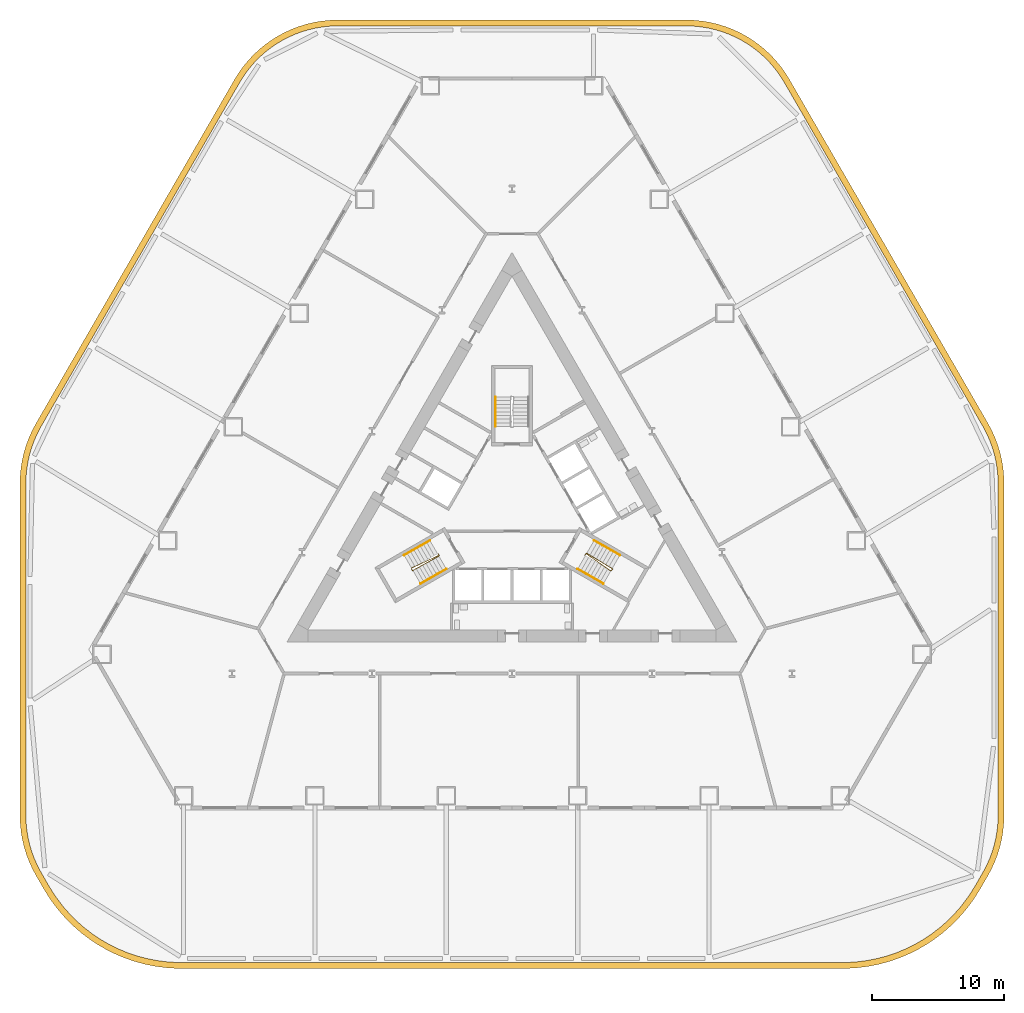
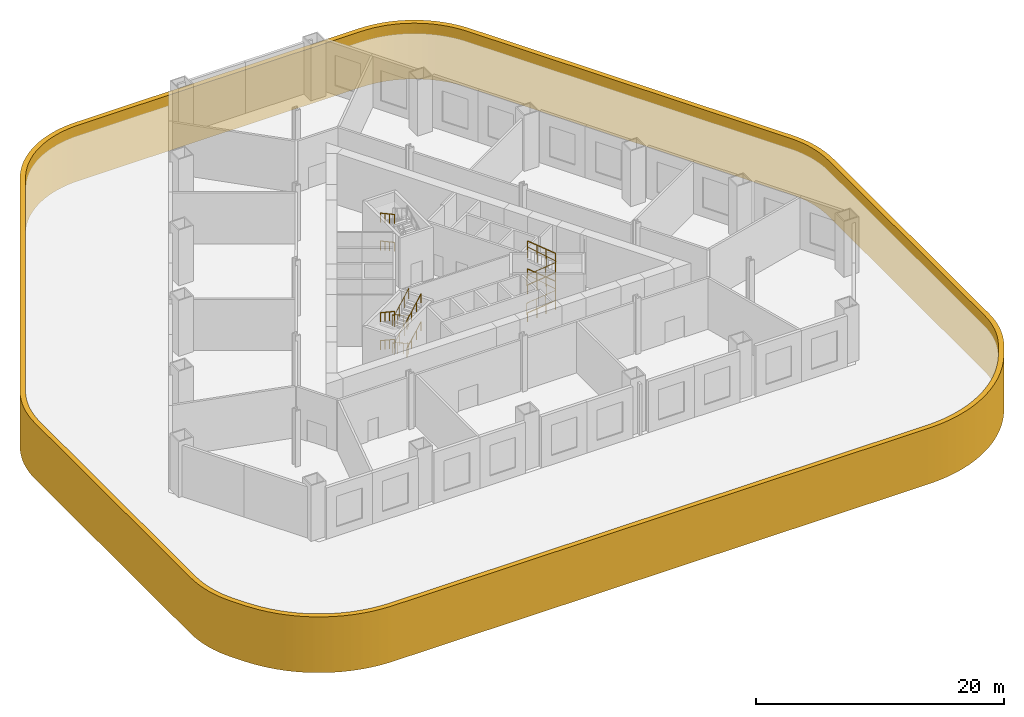
# One storey, part 8 of 10: 12 railings, 1 covering.
"""IFC4 building model written with IfcOpenShell, lengths in metres."""

import ifcopenshell
import ifcopenshell.guid

model = None  # the IFC model being written
_history = None  # IfcOwnerHistory: only IFC2X3 demands one
_inside = {}  # id of a spatial element -> (the spatial element, [elements in it])
_under = {}  # id of a project, library or spatial element -> (it, [spatial elements below it])
_declared = {}  # id of a project -> (the project, [libraries it declares])
_typed = {}  # id of a type object -> (the type object, [elements of that type])
_made_of = {}  # id of a material, layer set ... -> (it, [elements and type objects made of it])


def new_model(schema):
    """Start an empty IFC model of exactly this schema.

    Asked for "IFC4X3", IfcOpenShell would pick the latest addendum, in which some entities
    have other attributes; the version numbers below select the first issue.
    IFC2X3 requires an IfcOwnerHistory on every rooted entity: one is made here for all.
    """
    global model, _history
    if schema == "IFC4X3":
        model = ifcopenshell.file(schema_version=(4, 3, 0, 0))
    else:
        model = ifcopenshell.file(schema=schema)
    _inside.clear()
    _under.clear()
    _declared.clear()
    _typed.clear()
    _made_of.clear()
    _history = None
    if model.schema == "IFC2X3":
        org = make("IfcOrganization", Name="unknown")
        user = make(
            "IfcPersonAndOrganization",
            ThePerson=make("IfcPerson", FamilyName="unknown"),
            TheOrganization=org,
        )
        app = make(
            "IfcApplication",
            ApplicationDeveloper=org,
            Version="unknown",
            ApplicationFullName="unknown",
            ApplicationIdentifier="unknown",
        )
        _history = make(
            "IfcOwnerHistory",
            OwningUser=user,
            OwningApplication=app,
            ChangeAction="ADDED",
            CreationDate=0,
        )
    return model


def make(cls, **values):
    """One entity of the class cls with the attributes given. An attribute that is None is left unset."""
    return model.create_entity(
        cls, **{name: value for name, value in values.items() if value is not None}
    )


def rooted(cls, **values):
    """An entity with a GlobalId (a new one), such as an element, a storey or a relation."""
    return make(cls, GlobalId=ifcopenshell.guid.new(), OwnerHistory=_history, **values)


def si_unit(unit_type, name, prefix=None):
    """IfcSIUnit, for example si_unit("LENGTHUNIT", "METRE", prefix="MILLI")."""
    return make("IfcSIUnit", UnitType=unit_type, Prefix=prefix, Name=name)


def assignment(units):
    """IfcUnitAssignment: the units of a project."""
    return None if units is None else make("IfcUnitAssignment", Units=units)


def point(xyz):
    """IfcCartesianPoint."""
    return None if xyz is None else make("IfcCartesianPoint", Coordinates=xyz)


def direction(xyz):
    """IfcDirection."""
    return None if xyz is None else make("IfcDirection", DirectionRatios=xyz)


def frame(location, z_axis=None, x_axis=None):
    """IfcAxis2Placement3D, a coordinate frame: its origin and axes. An axis left out is left unset."""
    return make(
        "IfcAxis2Placement3D",
        Location=point(location),
        Axis=direction(z_axis),
        RefDirection=direction(x_axis),
    )


def frame_2d(location, x_axis=None):
    """IfcAxis2Placement2D, a coordinate frame in the plane: its origin and x axis."""
    return make(
        "IfcAxis2Placement2D", Location=point(location), RefDirection=direction(x_axis)
    )


def origin():
    """The frame at (0, 0, 0) with its axes left unset."""
    return frame((0.0, 0.0, 0.0))


def origin_2d():
    """The frame at (0, 0) in the plane with its x axis left unset."""
    return frame_2d((0.0, 0.0))


def place(relative_to, where):
    """IfcLocalPlacement: puts the frame where relative to a parent placement (None: the world)."""
    return make(
        "IfcLocalPlacement", PlacementRelTo=relative_to, RelativePlacement=where
    )


def context(
    kind, dimensions, precision=None, world=None, true_north=None, identifier=None
):
    """IfcGeometricRepresentationContext, for example the 3D "Model" context."""
    return make(
        "IfcGeometricRepresentationContext",
        ContextIdentifier=identifier,
        ContextType=kind,
        CoordinateSpaceDimension=dimensions,
        Precision=precision,
        WorldCoordinateSystem=world,
        TrueNorth=true_north,
    )


def subcontext(parent, identifier, kind, view, scale=None):
    """IfcGeometricRepresentationSubContext, for example "Body" below "Model"."""
    return make(
        "IfcGeometricRepresentationSubContext",
        ContextIdentifier=identifier,
        ContextType=kind,
        ParentContext=parent,
        TargetScale=scale,
        TargetView=view,
    )


def project(units=None, contexts=None):
    """IfcProject with its units and contexts."""
    return rooted(
        "IfcProject",
        Name="project",
        RepresentationContexts=contexts,
        UnitsInContext=assignment(units),
    )


def spatial(cls, under=None, at=None, **own):
    """A site, building, storey or space (cls), placed at a placement, below another one or the project."""
    s = rooted(cls, ObjectPlacement=at, **own)
    if under is not None:
        _under.setdefault(under.id(), (under, []))[1].append(s)
    return s


def polyline(points):
    """IfcPolyline through the points."""
    return make("IfcPolyline", Points=[point(p) for p in points])


def profile(cls, at=None, kind="AREA", **sizes):
    """A parametric profile (cls). Its sizes go by their IFC names, for example OverallWidth=200.0."""
    return make(cls, ProfileType=kind, Position=at, **sizes)


def circle(**sizes):
    """IfcCircleProfileDef."""
    return profile("IfcCircleProfileDef", **sizes)


def outline(outer, holes=None, kind="AREA"):
    """IfcArbitraryClosedProfileDef: a profile drawn as a closed curve; with holes, ...WithVoids."""
    if holes is None:
        return make("IfcArbitraryClosedProfileDef", ProfileType=kind, OuterCurve=outer)
    return make(
        "IfcArbitraryProfileDefWithVoids",
        ProfileType=kind,
        OuterCurve=outer,
        InnerCurves=holes,
    )


def extrude(swept, where, along, depth):
    """IfcExtrudedAreaSolid: the profile swept, set in the frame where, extruded along a direction by depth."""
    return make(
        "IfcExtrudedAreaSolid",
        SweptArea=swept,
        Position=where,
        ExtrudedDirection=direction(along),
        Depth=depth,
    )


def shape(context_of_items, identifier, shape_type, items):
    """IfcShapeRepresentation: the items that make up one representation, for example the "Body"."""
    return make(
        "IfcShapeRepresentation",
        ContextOfItems=context_of_items,
        RepresentationIdentifier=identifier,
        RepresentationType=shape_type,
        Items=items,
    )


def material(Name=None, Category=None):
    """IfcMaterial."""
    return make("IfcMaterial", Name=Name, Category=Category)


def layer(
    of_material, thickness, ventilated=None, Name=None, Category=None, Priority=None
):
    """IfcMaterialLayer: one layer of a wall or slab, of a material (None: an air gap)."""
    return make(
        "IfcMaterialLayer",
        Material=of_material,
        LayerThickness=thickness,
        IsVentilated=ventilated,
        Name=Name,
        Category=Category,
        Priority=Priority,
    )


def layer_set(layers, Name=None):
    """IfcMaterialLayerSet."""
    return make("IfcMaterialLayerSet", MaterialLayers=layers, LayerSetName=Name)


def made_of(thing, what):
    """Note that an element or type object is made of a material, layer set ...; save() writes the relation."""
    if what is not None:
        _made_of.setdefault(what.id(), (what, []))[1].append(thing)
    return thing


def type_object(cls, material=None, **own):
    """A type object (cls), such as IfcWallType, which elements share."""
    return made_of(rooted(cls, **own), material)


def element(
    cls,
    number,
    at=None,
    inside=None,
    cuts=None,
    type_object=None,
    material=None,
    context=None,
    identifier="Body",
    shape_type=None,
    held_by="IfcProductDefinitionShape",
    body=None,
    shapes=None,
    **own,
):
    """One element of the class cls, such as IfcWall. Its Tag is "e" and its number.

    at: its placement. inside: the storey or other place that contains it. cuts: it is an
    opening in that element (IfcRelVoidsElement). A single representation is given by context,
    identifier, shape_type and body (its items); several are given by shapes. held_by: the class
    of the entity that holds the representations. save() writes the other relations.
    """
    e = rooted(cls, Tag="e%d" % number, ObjectPlacement=at, **own)
    if body is not None:
        shapes = [shape(context, identifier, shape_type, body)]
    if shapes is not None:
        e.Representation = make(held_by, Representations=shapes)
    if inside is not None:
        _inside.setdefault(inside.id(), (inside, []))[1].append(e)
    if cuts is not None:
        rooted(
            "IfcRelVoidsElement", RelatingBuildingElement=cuts, RelatedOpeningElement=e
        )
    if type_object is not None:
        _typed.setdefault(type_object.id(), (type_object, []))[1].append(e)
    return made_of(e, material)


def aggregate(whole, parts):
    """IfcRelAggregates: a whole, such as a stair, and the parts it consists of."""
    return rooted("IfcRelAggregates", RelatingObject=whole, RelatedObjects=parts)


def save(model, path):
    """Write the relations noted so far, then the file.

    IfcRelAggregates (storeys below a building ...), IfcRelContainedInSpatialStructure (elements
    in a storey), IfcRelDefinesByType, IfcRelAssociatesMaterial and IfcRelDeclares: one each for
    every whole, place, type object, material and project.
    """
    for whole, parts in _under.values():
        aggregate(whole, parts)
    for where, things in _inside.values():
        rooted(
            "IfcRelContainedInSpatialStructure",
            RelatedElements=things,
            RelatingStructure=where,
        )
    for kind, things in _typed.values():
        rooted("IfcRelDefinesByType", RelatedObjects=things, RelatingType=kind)
    for what, things in _made_of.values():
        rooted("IfcRelAssociatesMaterial", RelatedObjects=things, RelatingMaterial=what)
    for by, libraries in _declared.values():
        rooted("IfcRelDeclares", RelatingContext=by, RelatedDefinitions=libraries)
    model.write(path)


model = new_model("IFC4")

# Units and contexts
model_context = context("Model", 3, precision=1e-05, world=origin(), true_north=direction((0.0, 1.0)))
body_context = subcontext(model_context, "Body", "Model", "MODEL_VIEW")
ifc_project = project(units=[si_unit("LENGTHUNIT", "METRE"), si_unit("AREAUNIT", "SQUARE_METRE"), si_unit("VOLUMEUNIT", "CUBIC_METRE"), si_unit("PLANEANGLEUNIT", "RADIAN"), si_unit("MASSUNIT", "GRAM", prefix="KILO")], contexts=[model_context])

# Site, building, storey
site_placement = place(None, origin())
site = spatial("IfcSite", under=ifc_project, at=site_placement, CompositionType="ELEMENT")
building_placement = place(site_placement, origin())
building = spatial("IfcBuilding", under=site, at=building_placement, Name="Cormorant Prow Tower", CompositionType="ELEMENT")
storey_placement = place(building_placement, frame((0.0, 0.0, 10.0)))
storey = spatial("IfcBuildingStorey", under=building, at=storey_placement, Name="L01", CompositionType="ELEMENT", Elevation=10.0)

# Covering
ifc_material_1 = material(Name="Terracotta", Category="masonry")
ifc_layer = layer(ifc_material_1, 0.449951171875)
ifc_layer_set = layer_set([ifc_layer], Name="Terracotta")
covering_type = type_object("IfcCoveringType", Name="Arcade fascia cladding 450", PredefinedType="CLADDING", material=ifc_layer_set)
covering_placement = place(storey_placement, frame((0.0, 0.0, -4.5)))
element("IfcCovering", 1, at=covering_placement, inside=storey, type_object=covering_type, Name="Arcade fascia", PredefinedType="CLADDING", context=body_context, shape_type="SweptSolid", body=[
    extrude(outline(polyline([(-36.514892578125, -26.418212890625), (-36.722412109375, -25.866943359375), (-36.893310546875, -25.303466796875), (-37.027099609375, -24.72998046875), (-37.123046875, -24.14892578125), (-37.1806640625, -23.562744140625), (-37.199951171875, -22.97412109375), (-37.199951171875, 2.189453125), (-37.1806640625, 2.778076171875), (-37.123046875, 3.3642578125), (-37.027099609375, 3.9453125), (-36.893310546875, 4.518798828125), (-36.722412109375, 5.08251953125), (-36.514892578125, 5.633544921875), (-36.27197265625, 6.170166015625), (-35.994140625, 6.689453125), (-20.97705078125, 32.699951171875), (-20.666015625, 33.2001953125), (-20.322998046875, 33.678955078125), (-19.949462890625, 34.134033203125), (-19.546875, 34.56396484375), (-19.116943359375, 34.966552734375), (-18.66162109375, 35.340087890625), (-18.182861328125, 35.68310546875), (-17.682861328125, 35.994140625), (-17.163330078125, 36.27197265625), (-16.626953125, 36.514892578125), (-16.07568359375, 36.722412109375), (-15.51220703125, 36.893310546875), (-14.938720703125, 37.027099609375), (-14.357666015625, 37.123046875), (-13.771484375, 37.1806640625), (-13.182861328125, 37.199951171875), (13.182861328125, 37.199951171875), (13.771484375, 37.1806640625), (14.357666015625, 37.123046875), (14.938720703125, 37.027099609375), (15.51220703125, 36.893310546875), (16.07568359375, 36.722412109375), (16.626953125, 36.514892578125), (17.163330078125, 36.27197265625), (17.682861328125, 35.994140625), (18.182861328125, 35.68310546875), (18.66162109375, 35.340087890625), (19.116943359375, 34.966552734375), (19.546875, 34.56396484375), (19.949462890625, 34.134033203125), (20.322998046875, 33.678955078125), (20.666015625, 33.2001953125), (20.97705078125, 32.699951171875), (35.994140625, 6.689453125), (36.27197265625, 6.170166015625), (36.514892578125, 5.633544921875), (36.722412109375, 5.08251953125), (36.893310546875, 4.518798828125), (37.027099609375, 3.9453125), (37.123046875, 3.3642578125), (37.1806640625, 2.778076171875), (37.199951171875, 2.189453125), (37.199951171875, -22.97412109375), (37.1806640625, -23.562744140625), (37.123046875, -24.14892578125), (37.027099609375, -24.72998046875), (36.893310546875, -25.303466796875), (36.722412109375, -25.866943359375), (36.514892578125, -26.418212890625), (36.27197265625, -26.95458984375), (35.994140625, -27.47412109375), (35.4658203125, -28.38916015625), (35.314453125, -28.641845703125), (35.13330078125, -28.933349609375), (34.805908203125, -29.423095703125), (34.69189453125, -29.582275390625), (34.333251953125, -30.049560546875), (34.208984375, -30.201171875), (33.820556640625, -30.643798828125), (33.686767578125, -30.786865234375), (33.270263671875, -31.203369140625), (33.127197265625, -31.33740234375), (32.684326171875, -31.7255859375), (32.532958984375, -31.85009765625), (32.065673828125, -32.20849609375), (31.90625, -32.32275390625), (31.416748046875, -32.64990234375), (31.250244140625, -32.75341796875), (30.740234375, -33.0478515625), (30.5673828125, -33.14013671875), (30.0390625, -33.400634765625), (29.860595703125, -33.481689453125), (29.31640625, -33.70703125), (29.133056640625, -33.776123046875), (28.575439453125, -33.96533203125), (28.3876953125, -34.022216796875), (27.81884765625, -34.174560546875), (27.6279296875, -34.21923828125), (27.05029296875, -34.333984375), (26.85693359375, -34.365966796875), (26.273193359375, -34.44287109375), (26.078125, -34.462158203125), (25.490478515625, -34.50048828125), (25.147216796875, -34.511962890625), (24.852783203125, -34.5166015625), (-24.852783203125, -34.5166015625), (-25.147216796875, -34.511962890625), (-25.490478515625, -34.50048828125), (-26.078125, -34.462158203125), (-26.273193359375, -34.44287109375), (-26.85693359375, -34.365966796875), (-27.05029296875, -34.333984375), (-27.6279296875, -34.21923828125), (-27.81884765625, -34.174560546875), (-28.3876953125, -34.022216796875), (-28.575439453125, -33.96533203125), (-29.133056640625, -33.776123046875), (-29.31640625, -33.70703125), (-29.860595703125, -33.481689453125), (-30.0390625, -33.400634765625), (-30.5673828125, -33.14013671875), (-30.740234375, -33.0478515625), (-31.250244140625, -32.75341796875), (-31.416748046875, -32.64990234375), (-31.90625, -32.32275390625), (-32.065673828125, -32.20849609375), (-32.532958984375, -31.85009765625), (-32.684326171875, -31.7255859375), (-33.127197265625, -31.33740234375), (-33.270263671875, -31.203369140625), (-33.686767578125, -30.786865234375), (-33.820556640625, -30.643798828125), (-34.208984375, -30.201171875), (-34.333251953125, -30.049560546875), (-34.69189453125, -29.582275390625), (-34.805908203125, -29.423095703125), (-35.13330078125, -28.933349609375), (-35.314453125, -28.641845703125), (-35.4658203125, -28.38916015625), (-35.994140625, -27.47412109375), (-36.27197265625, -26.95458984375), (-36.514892578125, -26.418212890625)]), holes=[polyline([(-35.600830078125, -27.25537109375), (-35.078125, -28.160888671875), (-34.930419921875, -28.4072265625), (-34.7548828125, -28.689453125), (-34.43603515625, -29.166748046875), (-34.330322265625, -29.314208984375), (-33.980712890625, -29.769775390625), (-33.86572265625, -29.909912109375), (-33.4873046875, -30.341552734375), (-33.36328125, -30.473876953125), (-32.957275390625, -30.8798828125), (-32.824951171875, -31.00390625), (-32.393310546875, -31.382568359375), (-32.253173828125, -31.49755859375), (-31.797607421875, -31.846923828125), (-31.650146484375, -31.95263671875), (-31.1728515625, -32.271728515625), (-31.018798828125, -32.367431640625), (-30.521484375, -32.654541015625), (-30.361572265625, -32.739990234375), (-29.8466796875, -32.993896484375), (-29.681640625, -33.068603515625), (-29.151123046875, -33.288330078125), (-28.9814453125, -33.352294921875), (-28.437744140625, -33.536865234375), (-28.26416015625, -33.589599609375), (-27.70947265625, -33.738037109375), (-27.532958984375, -33.779296875), (-26.9697265625, -33.891357421875), (-26.791015625, -33.9208984375), (-26.2216796875, -33.995849609375), (-26.041259765625, -34.013427734375), (-25.46826171875, -34.051025390625), (-25.13623046875, -34.06201171875), (-24.84912109375, -34.066650390625), (24.84912109375, -34.066650390625), (25.13623046875, -34.06201171875), (25.46826171875, -34.051025390625), (26.041259765625, -34.013427734375), (26.2216796875, -33.995849609375), (26.791015625, -33.9208984375), (26.9697265625, -33.891357421875), (27.532958984375, -33.779296875), (27.70947265625, -33.738037109375), (28.26416015625, -33.589599609375), (28.437744140625, -33.536865234375), (28.9814453125, -33.352294921875), (29.151123046875, -33.288330078125), (29.681640625, -33.068603515625), (29.8466796875, -32.993896484375), (30.361572265625, -32.739990234375), (30.521484375, -32.654541015625), (31.018798828125, -32.367431640625), (31.1728515625, -32.271728515625), (31.650146484375, -31.95263671875), (31.797607421875, -31.846923828125), (32.253173828125, -31.49755859375), (32.393310546875, -31.382568359375), (32.824951171875, -31.00390625), (32.957275390625, -30.8798828125), (33.36328125, -30.473876953125), (33.4873046875, -30.341552734375), (33.86572265625, -29.909912109375), (33.980712890625, -29.769775390625), (34.330322265625, -29.314208984375), (34.43603515625, -29.166748046875), (34.7548828125, -28.689453125), (34.930419921875, -28.4072265625), (35.078125, -28.160888671875), (35.600830078125, -27.25537109375), (35.8681640625, -26.755615234375), (36.098876953125, -26.245849609375), (36.296142578125, -25.722412109375), (36.45849609375, -25.18701171875), (36.58544921875, -24.64208984375), (36.676513671875, -24.090087890625), (36.7314453125, -23.533203125), (36.75, -22.966796875), (36.75, 2.18212890625), (36.7314453125, 2.748779296875), (36.676513671875, 3.305419921875), (36.58544921875, 3.857421875), (36.45849609375, 4.40234375), (36.296142578125, 4.937744140625), (36.098876953125, 5.46142578125), (35.8681640625, 5.970947265625), (35.600830078125, 6.470947265625), (20.591064453125, 32.468505859375), (20.291748046875, 32.949951171875), (19.9658203125, 33.40478515625), (19.61083984375, 33.837158203125), (19.228515625, 34.24560546875), (18.820068359375, 34.6279296875), (18.3876953125, 34.98291015625), (17.932861328125, 35.308837890625), (17.457763671875, 35.604248046875), (16.96435546875, 35.8681640625), (16.45458984375, 36.098876953125), (15.93115234375, 36.296142578125), (15.395751953125, 36.45849609375), (14.850830078125, 36.58544921875), (14.298828125, 36.676513671875), (13.741943359375, 36.7314453125), (13.175537109375, 36.75), (-13.175537109375, 36.75), (-13.741943359375, 36.7314453125), (-14.298828125, 36.676513671875), (-14.850830078125, 36.58544921875), (-15.395751953125, 36.45849609375), (-15.93115234375, 36.296142578125), (-16.45458984375, 36.098876953125), (-16.96435546875, 35.8681640625), (-17.457763671875, 35.604248046875), (-17.932861328125, 35.308837890625), (-18.3876953125, 34.98291015625), (-18.820068359375, 34.6279296875), (-19.228515625, 34.24560546875), (-19.61083984375, 33.837158203125), (-19.9658203125, 33.40478515625), (-20.291748046875, 32.949951171875), (-20.591064453125, 32.468505859375), (-35.600830078125, 6.470947265625), (-35.8681640625, 5.970947265625), (-36.098876953125, 5.46142578125), (-36.296142578125, 4.937744140625), (-36.45849609375, 4.40234375), (-36.58544921875, 3.857421875), (-36.676513671875, 3.305419921875), (-36.7314453125, 2.748779296875), (-36.75, 2.18212890625), (-36.75, -22.966796875), (-36.7314453125, -23.533203125), (-36.676513671875, -24.090087890625), (-36.58544921875, -24.64208984375), (-36.45849609375, -25.18701171875), (-36.296142578125, -25.722412109375), (-36.098876953125, -26.245849609375), (-35.8681640625, -26.755615234375), (-35.600830078125, -27.25537109375)])]), origin(), (0.0, 0.0, 1.0), 5.5),
])

# Railings
ifc_material_2 = material(Name="Stainless steel", Category="steel")
railing_type_1 = type_object("IfcRailingType", Name="Stair guard 1100", PredefinedType="GUARDRAIL", material=ifc_material_2)
railing_1_placement = place(storey_placement, frame((-5.585205078125, -3.137939453125, 0.0)))
element("IfcRailing", 2, at=railing_1_placement, inside=storey, type_object=railing_type_1, Name="L01 ST1 stair guard 1", PredefinedType="GUARDRAIL", context=body_context, shape_type="SweptSolid", body=[
    extrude(circle(Radius=0.02392578125, at=origin_2d()), frame((0.0, 0.0, 1.076171875), z_axis=(0.501036270542, -0.865426285481, 0.0), x_axis=(0.865426285481, 0.501036270542, 0.0)), (0.0, 0.0, 1.0), 0.150146484375),
    extrude(circle(Radius=0.02392578125, at=origin_2d()), frame((0.0751953125, -0.1298828125, 1.076171875), z_axis=(-0.777722750483, -0.362840064417, 0.513317066767), x_axis=(0.422792438952, -0.906226546491, 0.0)), (0.0, 0.0, 1.0), 2.6787109375),
    extrude(circle(Radius=0.02392578125, at=origin_2d()), frame((-2.008056640625, -1.101806640625, 2.451171875), z_axis=(0.275034262293, -0.961434425515, 0.0), x_axis=(0.961434425515, 0.275034262293, 0.0)), (0.0, 0.0, 1.0), 0.2060546875),
    extrude(circle(Radius=0.02392578125, at=origin_2d()), frame((-1.951416015625, -1.2998046875, 2.451171875), z_axis=(0.751727878227, 0.412326305198, 0.514676806489), x_axis=(-0.480911908544, 0.87676891837, 0.0)), (0.0, 0.0, 1.0), 2.671630859375),
    extrude(circle(Radius=0.02392578125, at=origin_2d()), frame((0.056884765625, -0.1982421875, 3.826171875), z_axis=(0.258736085224, 0.965948051503, 0.0), x_axis=(-0.965948051503, 0.258736085224, 0.0)), (0.0, 0.0, 1.0), 0.07080078125),
    extrude(circle(Radius=0.02392578125, at=origin_2d()), frame((0.0751953125, -0.1298828125, 3.826171875), z_axis=(-0.777722750483, -0.362840064417, 0.513317066767), x_axis=(0.422792438952, -0.906226546491, 0.0)), (0.0, 0.0, 1.0), 2.6787109375),
    extrude(circle(Radius=0.02392578125, at=origin_2d()), frame((-2.008056640625, -1.101806640625, 5.201171875), z_axis=(0.275034262293, -0.961434425515, 0.0), x_axis=(0.961434425515, 0.275034262293, 0.0)), (0.0, 0.0, 1.0), 0.2060546875),
    extrude(circle(Radius=0.02392578125, at=origin_2d()), frame((-1.951416015625, -1.2998046875, 5.201171875), z_axis=(0.751727878227, 0.412326305198, 0.514676806489), x_axis=(-0.480911908544, 0.87676891837, 0.0)), (0.0, 0.0, 1.0), 2.671630859375),
    extrude(circle(Radius=0.02099609375, at=origin_2d()), origin(), (0.0, 0.0, 1.0), 1.052001953125),
    extrude(circle(Radius=0.02099609375, at=origin_2d()), frame((0.0751953125, -0.1298828125, 0.0)), (0.0, 0.0, 1.0), 1.052001953125),
    extrude(circle(Radius=0.02099609375, at=origin_2d()), frame((-0.619140625, -0.453857421875, 0.458251953125)), (0.0, 0.0, 1.0), 1.052001953125),
    extrude(circle(Radius=0.02099609375, at=origin_2d()), frame((-1.313720703125, -0.77783203125, 0.916748046875)), (0.0, 0.0, 1.0), 1.052001953125),
    extrude(circle(Radius=0.02099609375, at=origin_2d()), frame((-2.008056640625, -1.101806640625, 1.375)), (0.0, 0.0, 1.0), 1.052001953125),
    extrude(circle(Radius=0.02099609375, at=origin_2d()), frame((-1.951416015625, -1.2998046875, 1.375)), (0.0, 0.0, 1.0), 1.052001953125),
    extrude(circle(Radius=0.02099609375, at=origin_2d()), frame((-1.281982421875, -0.9326171875, 1.833251953125)), (0.0, 0.0, 1.0), 1.052001953125),
    extrude(circle(Radius=0.02099609375, at=origin_2d()), frame((-0.612548828125, -0.5654296875, 2.291748046875)), (0.0, 0.0, 1.0), 1.052001953125),
    extrude(circle(Radius=0.02099609375, at=origin_2d()), frame((0.056884765625, -0.1982421875, 2.75)), (0.0, 0.0, 1.0), 1.052001953125),
    extrude(circle(Radius=0.02099609375, at=origin_2d()), frame((0.0751953125, -0.1298828125, 2.75)), (0.0, 0.0, 1.0), 1.052001953125),
    extrude(circle(Radius=0.02099609375, at=origin_2d()), frame((-0.619140625, -0.453857421875, 3.208251953125)), (0.0, 0.0, 1.0), 1.052001953125),
    extrude(circle(Radius=0.02099609375, at=origin_2d()), frame((-1.313720703125, -0.77783203125, 3.666748046875)), (0.0, 0.0, 1.0), 1.052001953125),
    extrude(circle(Radius=0.02099609375, at=origin_2d()), frame((-2.008056640625, -1.101806640625, 4.125)), (0.0, 0.0, 1.0), 1.052001953125),
    extrude(circle(Radius=0.02099609375, at=origin_2d()), frame((-1.951416015625, -1.2998046875, 4.125)), (0.0, 0.0, 1.0), 1.052001953125),
    extrude(circle(Radius=0.02099609375, at=origin_2d()), frame((-1.281982421875, -0.9326171875, 4.583251953125)), (0.0, 0.0, 1.0), 1.052001953125),
    extrude(circle(Radius=0.02099609375, at=origin_2d()), frame((-0.612548828125, -0.5654296875, 5.041748046875)), (0.0, 0.0, 1.0), 1.052001953125),
    extrude(circle(Radius=0.02099609375, at=origin_2d()), frame((0.056884765625, -0.1982421875, 5.5)), (0.0, 0.0, 1.0), 1.052001953125),
])
railing_2_placement = place(storey_placement, frame((5.510009765625, -3.267822265625, 0.0)))
element("IfcRailing", 3, at=railing_2_placement, inside=storey, type_object=railing_type_1, Name="L01 ST2 stair guard 1", PredefinedType="GUARDRAIL", context=body_context, shape_type="SweptSolid", body=[
    extrude(circle(Radius=0.02392578125, at=origin_2d()), frame((0.0, 0.0, 1.076171875), z_axis=(0.501036270542, 0.865426285481, 0.0), x_axis=(-0.865426285481, 0.501036270542, 0.0)), (0.0, 0.0, 1.0), 0.150146484375),
    extrude(circle(Radius=0.02392578125, at=origin_2d()), frame((0.0751953125, 0.1298828125, 1.076171875), z_axis=(0.703046510183, -0.492123442043, 0.513361590218), x_axis=(0.573455215813, 0.819236910458, 0.0)), (0.0, 0.0, 1.0), 2.678466796875),
    extrude(circle(Radius=0.02392578125, at=origin_2d()), frame((1.958251953125, -1.188232421875, 2.451171875), z_axis=(0.695164929852, 0.718850276695, 0.0), x_axis=(-0.718850276695, 0.695164929852, 0.0)), (0.0, 0.0, 1.0), 0.2060546875),
    extrude(circle(Radius=0.02392578125, at=origin_2d()), frame((2.1015625, -1.0400390625, 2.451171875), z_axis=(-0.732997417253, 0.444769783041, 0.51467914898), x_axis=(-0.518752825935, -0.854924268918, 0.0)), (0.0, 0.0, 1.0), 2.671630859375),
    extrude(circle(Radius=0.02392578125, at=origin_2d()), frame((0.143310546875, 0.148193359375, 3.826171875), z_axis=(-0.965715946433, -0.259601060869, 0.0), x_axis=(0.259601060869, -0.965715946433, 0.0)), (0.0, 0.0, 1.0), 0.070556640625),
    extrude(circle(Radius=0.02392578125, at=origin_2d()), frame((0.0751953125, 0.1298828125, 3.826171875), z_axis=(0.703046510183, -0.492123442043, 0.513361590218), x_axis=(0.573455215813, 0.819236910458, 0.0)), (0.0, 0.0, 1.0), 2.678466796875),
    extrude(circle(Radius=0.02392578125, at=origin_2d()), frame((1.958251953125, -1.188232421875, 5.201171875), z_axis=(0.695164929852, 0.718850276695, 0.0), x_axis=(-0.718850276695, 0.695164929852, 0.0)), (0.0, 0.0, 1.0), 0.2060546875),
    extrude(circle(Radius=0.02392578125, at=origin_2d()), frame((2.1015625, -1.0400390625, 5.201171875), z_axis=(-0.732997417253, 0.444769783041, 0.51467914898), x_axis=(-0.518752825935, -0.854924268918, 0.0)), (0.0, 0.0, 1.0), 2.671630859375),
    extrude(circle(Radius=0.02099609375, at=origin_2d()), origin(), (0.0, 0.0, 1.0), 1.052001953125),
    extrude(circle(Radius=0.02099609375, at=origin_2d()), frame((0.0751953125, 0.1298828125, 0.0)), (0.0, 0.0, 1.0), 1.052001953125),
    extrude(circle(Radius=0.02099609375, at=origin_2d()), frame((0.702880859375, -0.3095703125, 0.458251953125)), (0.0, 0.0, 1.0), 1.052001953125),
    extrude(circle(Radius=0.02099609375, at=origin_2d()), frame((1.33056640625, -0.748779296875, 0.916748046875)), (0.0, 0.0, 1.0), 1.052001953125),
    extrude(circle(Radius=0.02099609375, at=origin_2d()), frame((1.958251953125, -1.188232421875, 1.375)), (0.0, 0.0, 1.0), 1.052001953125),
    extrude(circle(Radius=0.02099609375, at=origin_2d()), frame((2.1015625, -1.0400390625, 1.375)), (0.0, 0.0, 1.0), 1.052001953125),
    extrude(circle(Radius=0.02099609375, at=origin_2d()), frame((1.44873046875, -0.64404296875, 1.833251953125)), (0.0, 0.0, 1.0), 1.052001953125),
    extrude(circle(Radius=0.02099609375, at=origin_2d()), frame((0.796142578125, -0.247802734375, 2.291748046875)), (0.0, 0.0, 1.0), 1.052001953125),
    extrude(circle(Radius=0.02099609375, at=origin_2d()), frame((0.143310546875, 0.148193359375, 2.75)), (0.0, 0.0, 1.0), 1.052001953125),
    extrude(circle(Radius=0.02099609375, at=origin_2d()), frame((0.0751953125, 0.1298828125, 2.75)), (0.0, 0.0, 1.0), 1.052001953125),
    extrude(circle(Radius=0.02099609375, at=origin_2d()), frame((0.702880859375, -0.3095703125, 3.208251953125)), (0.0, 0.0, 1.0), 1.052001953125),
    extrude(circle(Radius=0.02099609375, at=origin_2d()), frame((1.33056640625, -0.748779296875, 3.666748046875)), (0.0, 0.0, 1.0), 1.052001953125),
    extrude(circle(Radius=0.02099609375, at=origin_2d()), frame((1.958251953125, -1.188232421875, 4.125)), (0.0, 0.0, 1.0), 1.052001953125),
    extrude(circle(Radius=0.02099609375, at=origin_2d()), frame((2.1015625, -1.0400390625, 4.125)), (0.0, 0.0, 1.0), 1.052001953125),
    extrude(circle(Radius=0.02099609375, at=origin_2d()), frame((1.44873046875, -0.64404296875, 4.583251953125)), (0.0, 0.0, 1.0), 1.052001953125),
    extrude(circle(Radius=0.02099609375, at=origin_2d()), frame((0.796142578125, -0.247802734375, 5.041748046875)), (0.0, 0.0, 1.0), 1.052001953125),
    extrude(circle(Radius=0.02099609375, at=origin_2d()), frame((0.143310546875, 0.148193359375, 5.5)), (0.0, 0.0, 1.0), 1.052001953125),
])
ifc_material_3 = material(Name="Stainless steel", Category="steel")
railing_type_2 = type_object("IfcRailingType", Name="Stair handrail 900", PredefinedType="HANDRAIL", material=ifc_material_3)
railing_3_placement = place(storey_placement, frame((-6.212890625, -2.150634765625, 0.15283203125)))
element("IfcRailing", 4, at=railing_3_placement, inside=storey, type_object=railing_type_2, Name="L01 ST1 stair handrail 1", PredefinedType="HANDRAIL", context=body_context, shape_type="SweptSolid", body=[
    extrude(circle(Radius=0.02392578125, at=origin_2d()), frame((0.0, 0.0, 0.8759765625), z_axis=(-0.760253918293, -0.438872983037, 0.478961882076), x_axis=(0.49994888933, -0.866054910533, 0.0)), (0.0, 0.0, 1.0), 2.5517578125),
    extrude(circle(Radius=0.02099609375, at=origin_2d()), origin(), (0.0, 0.0, 1.0), 0.851806640625),
    extrude(circle(Radius=0.02099609375, at=origin_2d()), frame((-0.646728515625, -0.373291015625, 0.407470703125)), (0.0, 0.0, 1.0), 0.851806640625),
    extrude(circle(Radius=0.02099609375, at=origin_2d()), frame((-1.293212890625, -0.74658203125, 0.814697265625)), (0.0, 0.0, 1.0), 0.851806640625),
    extrude(circle(Radius=0.02099609375, at=origin_2d()), frame((-1.93994140625, -1.119873046875, 1.22216796875)), (0.0, 0.0, 1.0), 0.851806640625),
])
railing_4_placement = place(storey_placement, frame((-6.90869140625, -5.42529296875, 1.52783203125)))
element("IfcRailing", 5, at=railing_4_placement, inside=storey, type_object=railing_type_2, Name="L01 ST1 stair handrail 2", PredefinedType="HANDRAIL", context=body_context, shape_type="SweptSolid", body=[
    extrude(circle(Radius=0.02392578125, at=origin_2d()), frame((0.0, 0.0, 0.8759765625), z_axis=(0.760181608912, 0.438982155027, 0.478976605942), x_axis=(-0.500077830873, 0.865980463445, 0.0)), (0.0, 0.0, 1.0), 2.551513671875),
    extrude(circle(Radius=0.02099609375, at=origin_2d()), origin(), (0.0, 0.0, 1.0), 0.851806640625),
    extrude(circle(Radius=0.02099609375, at=origin_2d()), frame((0.646484375, 0.373291015625, 0.407470703125)), (0.0, 0.0, 1.0), 0.851806640625),
    extrude(circle(Radius=0.02099609375, at=origin_2d()), frame((1.293212890625, 0.746826171875, 0.814697265625)), (0.0, 0.0, 1.0), 0.851806640625),
    extrude(circle(Radius=0.02099609375, at=origin_2d()), frame((1.939697265625, 1.1201171875, 1.22216796875)), (0.0, 0.0, 1.0), 0.851806640625),
])
railing_5_placement = place(storey_placement, frame((-6.212890625, -2.150634765625, 2.90283203125)))
element("IfcRailing", 6, at=railing_5_placement, inside=storey, type_object=railing_type_2, Name="L01 ST1 stair handrail 3", PredefinedType="HANDRAIL", context=body_context, shape_type="SweptSolid", body=[
    extrude(circle(Radius=0.02392578125, at=origin_2d()), frame((0.0, 0.0, 0.8759765625), z_axis=(-0.760253918293, -0.438872983037, 0.478961882076), x_axis=(0.49994888933, -0.866054910533, 0.0)), (0.0, 0.0, 1.0), 2.5517578125),
    extrude(circle(Radius=0.02099609375, at=origin_2d()), origin(), (0.0, 0.0, 1.0), 0.851806640625),
    extrude(circle(Radius=0.02099609375, at=origin_2d()), frame((-0.646728515625, -0.373291015625, 0.407470703125)), (0.0, 0.0, 1.0), 0.851806640625),
    extrude(circle(Radius=0.02099609375, at=origin_2d()), frame((-1.293212890625, -0.74658203125, 0.814697265625)), (0.0, 0.0, 1.0), 0.851806640625),
    extrude(circle(Radius=0.02099609375, at=origin_2d()), frame((-1.93994140625, -1.119873046875, 1.22216796875)), (0.0, 0.0, 1.0), 0.851806640625),
])
railing_6_placement = place(storey_placement, frame((-6.90869140625, -5.42529296875, 4.27783203125)))
element("IfcRailing", 7, at=railing_6_placement, inside=storey, type_object=railing_type_2, Name="L01 ST1 stair handrail 4", PredefinedType="HANDRAIL", context=body_context, shape_type="SweptSolid", body=[
    extrude(circle(Radius=0.02392578125, at=origin_2d()), frame((0.0, 0.0, 0.8759765625), z_axis=(0.760181608912, 0.438982155027, 0.478976605942), x_axis=(-0.500077830873, 0.865980463445, 0.0)), (0.0, 0.0, 1.0), 2.551513671875),
    extrude(circle(Radius=0.02099609375, at=origin_2d()), origin(), (0.0, 0.0, 1.0), 0.851806640625),
    extrude(circle(Radius=0.02099609375, at=origin_2d()), frame((0.646484375, 0.373291015625, 0.407470703125)), (0.0, 0.0, 1.0), 0.851806640625),
    extrude(circle(Radius=0.02099609375, at=origin_2d()), frame((1.293212890625, 0.746826171875, 0.814697265625)), (0.0, 0.0, 1.0), 0.851806640625),
    extrude(circle(Radius=0.02099609375, at=origin_2d()), frame((1.939697265625, 1.1201171875, 1.22216796875)), (0.0, 0.0, 1.0), 0.851806640625),
])
railing_7_placement = place(storey_placement, frame((4.968994140625, -4.30517578125, 0.15283203125)))
element("IfcRailing", 8, at=railing_7_placement, inside=storey, type_object=railing_type_2, Name="L01 ST2 stair handrail 1", PredefinedType="HANDRAIL", context=body_context, shape_type="SweptSolid", body=[
    extrude(circle(Radius=0.02392578125, at=origin_2d()), frame((0.0, 0.0, 0.8759765625), z_axis=(0.760181608912, -0.438982155027, 0.478976605942), x_axis=(0.500077830873, 0.865980463445, 0.0)), (0.0, 0.0, 1.0), 2.551513671875),
    extrude(circle(Radius=0.02099609375, at=origin_2d()), origin(), (0.0, 0.0, 1.0), 0.851806640625),
    extrude(circle(Radius=0.02099609375, at=origin_2d()), frame((0.646484375, -0.373291015625, 0.407470703125)), (0.0, 0.0, 1.0), 0.851806640625),
    extrude(circle(Radius=0.02099609375, at=origin_2d()), frame((1.293212890625, -0.746826171875, 0.814697265625)), (0.0, 0.0, 1.0), 0.851806640625),
    extrude(circle(Radius=0.02099609375, at=origin_2d()), frame((1.939697265625, -1.1201171875, 1.22216796875)), (0.0, 0.0, 1.0), 0.851806640625),
])
railing_8_placement = place(storey_placement, frame((8.15283203125, -3.2705078125, 1.52783203125)))
element("IfcRailing", 9, at=railing_8_placement, inside=storey, type_object=railing_type_2, Name="L01 ST2 stair handrail 2", PredefinedType="HANDRAIL", context=body_context, shape_type="SweptSolid", body=[
    extrude(circle(Radius=0.02392578125, at=origin_2d()), frame((0.0, 0.0, 0.8759765625), z_axis=(-0.760253918293, 0.438872983037, 0.478961882076), x_axis=(-0.49994888933, -0.866054910533, 0.0)), (0.0, 0.0, 1.0), 2.5517578125),
    extrude(circle(Radius=0.02099609375, at=origin_2d()), origin(), (0.0, 0.0, 1.0), 0.851806640625),
    extrude(circle(Radius=0.02099609375, at=origin_2d()), frame((-0.646728515625, 0.373291015625, 0.407470703125)), (0.0, 0.0, 1.0), 0.851806640625),
    extrude(circle(Radius=0.02099609375, at=origin_2d()), frame((-1.293212890625, 0.74658203125, 0.814697265625)), (0.0, 0.0, 1.0), 0.851806640625),
    extrude(circle(Radius=0.02099609375, at=origin_2d()), frame((-1.93994140625, 1.119873046875, 1.22216796875)), (0.0, 0.0, 1.0), 0.851806640625),
])
railing_9_placement = place(storey_placement, frame((4.968994140625, -4.30517578125, 2.90283203125)))
element("IfcRailing", 10, at=railing_9_placement, inside=storey, type_object=railing_type_2, Name="L01 ST2 stair handrail 3", PredefinedType="HANDRAIL", context=body_context, shape_type="SweptSolid", body=[
    extrude(circle(Radius=0.02392578125, at=origin_2d()), frame((0.0, 0.0, 0.8759765625), z_axis=(0.760181608912, -0.438982155027, 0.478976605942), x_axis=(0.500077830873, 0.865980463445, 0.0)), (0.0, 0.0, 1.0), 2.551513671875),
    extrude(circle(Radius=0.02099609375, at=origin_2d()), origin(), (0.0, 0.0, 1.0), 0.851806640625),
    extrude(circle(Radius=0.02099609375, at=origin_2d()), frame((0.646484375, -0.373291015625, 0.407470703125)), (0.0, 0.0, 1.0), 0.851806640625),
    extrude(circle(Radius=0.02099609375, at=origin_2d()), frame((1.293212890625, -0.746826171875, 0.814697265625)), (0.0, 0.0, 1.0), 0.851806640625),
    extrude(circle(Radius=0.02099609375, at=origin_2d()), frame((1.939697265625, -1.1201171875, 1.22216796875)), (0.0, 0.0, 1.0), 0.851806640625),
])
railing_10_placement = place(storey_placement, frame((8.15283203125, -3.2705078125, 4.27783203125)))
element("IfcRailing", 11, at=railing_10_placement, inside=storey, type_object=railing_type_2, Name="L01 ST2 stair handrail 4", PredefinedType="HANDRAIL", context=body_context, shape_type="SweptSolid", body=[
    extrude(circle(Radius=0.02392578125, at=origin_2d()), frame((0.0, 0.0, 0.8759765625), z_axis=(-0.760253918293, 0.438872983037, 0.478961882076), x_axis=(-0.49994888933, -0.866054910533, 0.0)), (0.0, 0.0, 1.0), 2.5517578125),
    extrude(circle(Radius=0.02099609375, at=origin_2d()), origin(), (0.0, 0.0, 1.0), 0.851806640625),
    extrude(circle(Radius=0.02099609375, at=origin_2d()), frame((-0.646728515625, 0.373291015625, 0.407470703125)), (0.0, 0.0, 1.0), 0.851806640625),
    extrude(circle(Radius=0.02099609375, at=origin_2d()), frame((-1.293212890625, 0.74658203125, 0.814697265625)), (0.0, 0.0, 1.0), 0.851806640625),
    extrude(circle(Radius=0.02099609375, at=origin_2d()), frame((-1.93994140625, 1.119873046875, 1.22216796875)), (0.0, 0.0, 1.0), 0.851806640625),
])
for number, where, name in (
    (12, (-1.243896484375, 8.69580078125, 1.52783203125), "L01 ST3 stair handrail 2"),
    (13, (-1.243896484375, 8.69580078125, 4.27783203125), "L01 ST3 stair handrail 4"),
):
    element("IfcRailing", number, at=place(storey_placement, frame(where)), inside=storey, type_object=railing_type_2, Name=name, PredefinedType="HANDRAIL", context=body_context, shape_type="SweptSolid", body=[
        extrude(circle(Radius=0.02392578125, at=origin_2d()), frame((0.0, 0.0, 0.8759765625), z_axis=(0.0, -0.87783706319, 0.478959382924), x_axis=(1.0, 0.0, 0.0)), (0.0, 0.0, 1.0), 2.5517578125),
        extrude(circle(Radius=0.02099609375, at=origin_2d()), origin(), (0.0, 0.0, 1.0), 0.851806640625),
        extrude(circle(Radius=0.02099609375, at=origin_2d()), frame((0.0, -0.74658203125, 0.407470703125)), (0.0, 0.0, 1.0), 0.851806640625),
        extrude(circle(Radius=0.02099609375, at=origin_2d()), frame((0.0, -1.493408203125, 0.814697265625)), (0.0, 0.0, 1.0), 0.851806640625),
        extrude(circle(Radius=0.02099609375, at=origin_2d()), frame((0.0, -2.239990234375, 1.22216796875)), (0.0, 0.0, 1.0), 0.851806640625),
    ])

save(model, "model.ifc")
